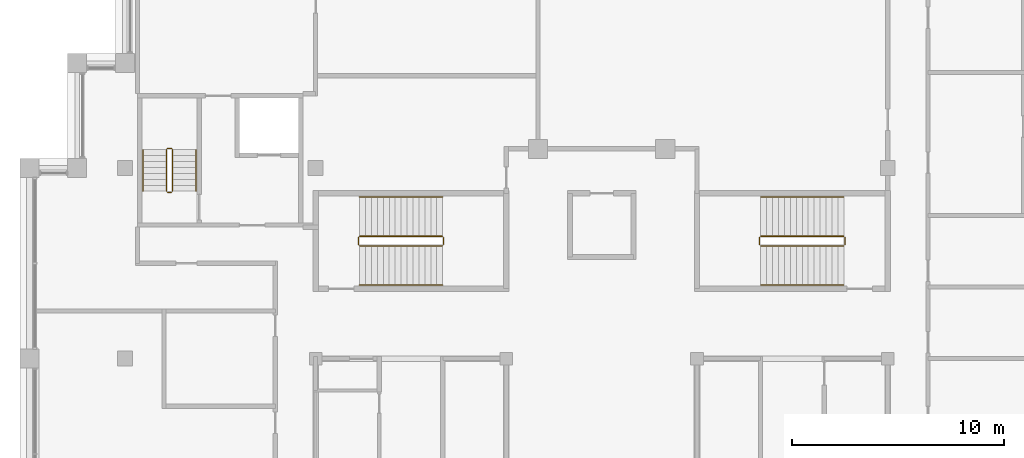
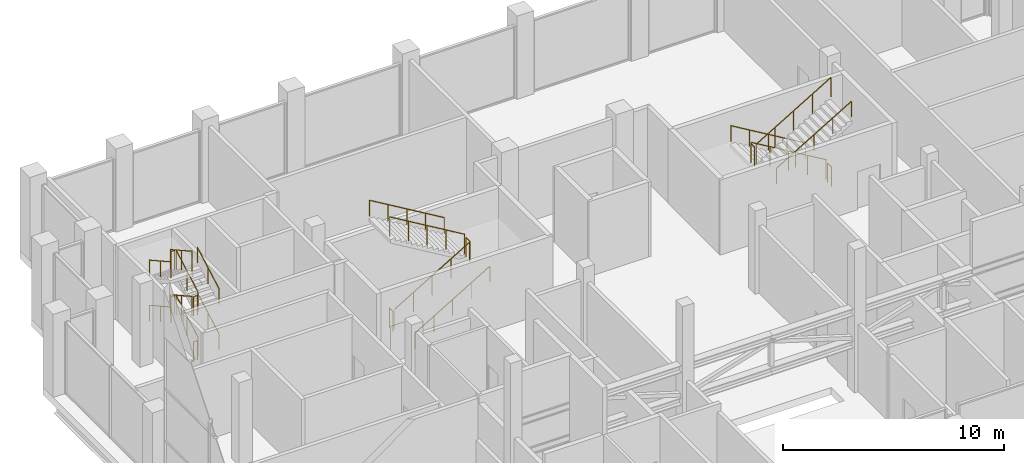
# One storey, part 14 of 14: 3 railings.
"""IFC4 building model written with IfcOpenShell, lengths in metres."""

from ifc_helpers import new_model, si_unit, direction, frame, origin, origin_2d, place, context, subcontext, project, spatial, circle, extrude, material, type_object, element, save


model = new_model("IFC4")

# Units and contexts
model_context = context("Model", 3, precision=1e-05, world=origin(), true_north=direction((0.0, 1.0)))
body_context = subcontext(model_context, "Body", "Model", "MODEL_VIEW")
ifc_project = project(units=[si_unit("LENGTHUNIT", "METRE"), si_unit("AREAUNIT", "SQUARE_METRE"), si_unit("VOLUMEUNIT", "CUBIC_METRE"), si_unit("PLANEANGLEUNIT", "RADIAN"), si_unit("MASSUNIT", "GRAM", prefix="KILO")], contexts=[model_context])

# Site, building, storey
site_placement = place(None, origin())
site = spatial("IfcSite", under=ifc_project, at=site_placement, CompositionType="ELEMENT")
building_placement = place(site_placement, origin())
building = spatial("IfcBuilding", under=site, at=building_placement, Name="Corbelhall Arena Tower", CompositionType="ELEMENT")
storey_placement = place(building_placement, frame((0.0, 0.0, 376.0)))
storey = spatial("IfcBuildingStorey", under=building, at=storey_placement, Name="L81", CompositionType="ELEMENT", Elevation=376.0)

# Railings
ifc_material = material(Name="Steel ASTM A500 Gr C", Category="steel")
railing_type = type_object("IfcRailingType", Name="IN-GD-1100", PredefinedType="GUARDRAIL", material=ifc_material)
railing_1_placement = place(storey_placement, frame((-11.425048828125, 14.324951171875, 0.166748046875)))
element("IfcRailing", 1, at=railing_1_placement, inside=storey, type_object=railing_type, Name="L81 ST1 stair guards and handrails", PredefinedType="GUARDRAIL", context=body_context, shape_type="SweptSolid", body=[
    extrude(circle(Radius=0.02392578125, at=origin_2d()), frame((0.0, 0.0, 1.076171875), z_axis=(0.859310244771, 0.0, 0.511454693235), x_axis=(0.0, 1.0, 0.0)), (0.0, 0.0, 1.0), 4.56201171875),
    extrude(circle(Radius=0.02392578125, at=origin_2d()), frame((3.969970703125, 0.050048828125, 3.4091796875), z_axis=(0.0, 1.0, 0.0), x_axis=(-1.0, 0.0, 0.0)), (0.0, 0.0, 1.0), 0.35009765625),
    extrude(circle(Radius=0.02392578125, at=origin_2d()), frame((3.920166015625, 0.449951171875, 3.576171875), z_axis=(-0.859310244771, 0.0, 0.511454693235), x_axis=(0.0, -1.0, 0.0)), (0.0, 0.0, 1.0), 4.56201171875),
    extrude(circle(Radius=0.02392578125, at=origin_2d()), frame((-0.050048828125, 0.050048828125, 0.9091796875), z_axis=(0.0, 1.0, 0.0), x_axis=(-1.0, 0.0, 0.0)), (0.0, 0.0, 1.0), 0.35009765625),
    extrude(circle(Radius=0.02392578125, at=origin_2d()), frame((0.0, -1.849853515625, 0.8759765625), z_axis=(0.859310244771, 0.0, 0.511454693235), x_axis=(0.0, 1.0, 0.0)), (0.0, 0.0, 1.0), 4.56201171875),
    extrude(circle(Radius=0.02392578125, at=origin_2d()), frame((3.920166015625, 2.300048828125, 3.3759765625), z_axis=(-0.859310244771, 0.0, 0.511454693235), x_axis=(0.0, -1.0, 0.0)), (0.0, 0.0, 1.0), 4.56201171875),
    extrude(circle(Radius=0.02099609375, at=origin_2d()), origin(), (0.0, 0.0, 1.0), 1.052001953125),
    extrude(circle(Radius=0.02099609375, at=origin_2d()), frame((0.97998046875, 0.0, 0.583251953125)), (0.0, 0.0, 1.0), 1.052001953125),
    extrude(circle(Radius=0.02099609375, at=origin_2d()), frame((1.9599609375, 0.0, 1.16650390625)), (0.0, 0.0, 1.0), 1.052001953125),
    extrude(circle(Radius=0.02099609375, at=origin_2d()), frame((2.940185546875, 0.0, 1.75)), (0.0, 0.0, 1.0), 1.052001953125),
    extrude(circle(Radius=0.02099609375, at=origin_2d()), frame((3.920166015625, 0.0, 2.333251953125)), (0.0, 0.0, 1.0), 1.052001953125),
    extrude(circle(Radius=0.02099609375, at=origin_2d()), frame((3.969970703125, 0.050048828125, 2.333251953125)), (0.0, 0.0, 1.0), 1.052001953125),
    extrude(circle(Radius=0.02099609375, at=origin_2d()), frame((3.969970703125, 0.400146484375, 2.333251953125)), (0.0, 0.0, 1.0), 1.052001953125),
    extrude(circle(Radius=0.02099609375, at=origin_2d()), frame((3.920166015625, 0.449951171875, 2.5)), (0.0, 0.0, 1.0), 1.052001953125),
    extrude(circle(Radius=0.02099609375, at=origin_2d()), frame((2.940185546875, 0.449951171875, 3.083251953125)), (0.0, 0.0, 1.0), 1.052001953125),
    extrude(circle(Radius=0.02099609375, at=origin_2d()), frame((1.9599609375, 0.449951171875, 3.66650390625)), (0.0, 0.0, 1.0), 1.052001953125),
    extrude(circle(Radius=0.02099609375, at=origin_2d()), frame((0.97998046875, 0.449951171875, 4.25)), (0.0, 0.0, 1.0), 1.052001953125),
    extrude(circle(Radius=0.02099609375, at=origin_2d()), frame((0.0, 0.449951171875, 4.833251953125)), (0.0, 0.0, 1.0), 1.052001953125),
    extrude(circle(Radius=0.02099609375, at=origin_2d()), frame((-0.050048828125, 0.050048828125, -0.166748046875)), (0.0, 0.0, 1.0), 1.052001953125),
    extrude(circle(Radius=0.02099609375, at=origin_2d()), frame((-0.050048828125, 0.400146484375, -0.166748046875)), (0.0, 0.0, 1.0), 1.052001953125),
    extrude(circle(Radius=0.02099609375, at=origin_2d()), frame((0.0, -1.849853515625, 0.0)), (0.0, 0.0, 1.0), 0.851806640625),
    extrude(circle(Radius=0.02099609375, at=origin_2d()), frame((0.97998046875, -1.849853515625, 0.583251953125)), (0.0, 0.0, 1.0), 0.851806640625),
    extrude(circle(Radius=0.02099609375, at=origin_2d()), frame((1.9599609375, -1.849853515625, 1.16650390625)), (0.0, 0.0, 1.0), 0.851806640625),
    extrude(circle(Radius=0.02099609375, at=origin_2d()), frame((2.940185546875, -1.849853515625, 1.75)), (0.0, 0.0, 1.0), 0.851806640625),
    extrude(circle(Radius=0.02099609375, at=origin_2d()), frame((3.920166015625, -1.849853515625, 2.333251953125)), (0.0, 0.0, 1.0), 0.851806640625),
    extrude(circle(Radius=0.02099609375, at=origin_2d()), frame((3.920166015625, 2.300048828125, 2.5)), (0.0, 0.0, 1.0), 0.851806640625),
    extrude(circle(Radius=0.02099609375, at=origin_2d()), frame((2.940185546875, 2.300048828125, 3.083251953125)), (0.0, 0.0, 1.0), 0.851806640625),
    extrude(circle(Radius=0.02099609375, at=origin_2d()), frame((1.9599609375, 2.300048828125, 3.66650390625)), (0.0, 0.0, 1.0), 0.851806640625),
    extrude(circle(Radius=0.02099609375, at=origin_2d()), frame((0.97998046875, 2.300048828125, 4.25)), (0.0, 0.0, 1.0), 0.851806640625),
    extrude(circle(Radius=0.02099609375, at=origin_2d()), frame((0.0, 2.300048828125, 4.833251953125)), (0.0, 0.0, 1.0), 0.851806640625),
])
railing_2_placement = place(storey_placement, frame((11.425048828125, 14.77490234375, 0.166748046875)))
element("IfcRailing", 2, at=railing_2_placement, inside=storey, type_object=railing_type, Name="L81 ST3 stair guards and handrails", PredefinedType="GUARDRAIL", context=body_context, shape_type="SweptSolid", body=[
    extrude(circle(Radius=0.02392578125, at=origin_2d()), frame((0.0, 0.0, 1.076171875), z_axis=(-0.859310244771, 0.0, 0.511454693235), x_axis=(0.0, -1.0, 0.0)), (0.0, 0.0, 1.0), 4.56201171875),
    extrude(circle(Radius=0.02392578125, at=origin_2d()), frame((-3.969970703125, -0.0498046875, 3.4091796875), z_axis=(0.0, -1.0, 0.0), x_axis=(1.0, 0.0, 0.0)), (0.0, 0.0, 1.0), 0.35009765625),
    extrude(circle(Radius=0.02392578125, at=origin_2d()), frame((-3.920166015625, -0.449951171875, 3.576171875), z_axis=(0.859310244771, 0.0, 0.511454693235), x_axis=(0.0, 1.0, 0.0)), (0.0, 0.0, 1.0), 4.56201171875),
    extrude(circle(Radius=0.02392578125, at=origin_2d()), frame((0.050048828125, -0.0498046875, 0.9091796875), z_axis=(0.0, -1.0, 0.0), x_axis=(1.0, 0.0, 0.0)), (0.0, 0.0, 1.0), 0.35009765625),
    extrude(circle(Radius=0.02392578125, at=origin_2d()), frame((0.0, 1.85009765625, 0.8759765625), z_axis=(-0.859310244771, 0.0, 0.511454693235), x_axis=(0.0, -1.0, 0.0)), (0.0, 0.0, 1.0), 4.56201171875),
    extrude(circle(Radius=0.02392578125, at=origin_2d()), frame((-3.920166015625, -2.2998046875, 3.3759765625), z_axis=(0.859310244771, 0.0, 0.511454693235), x_axis=(0.0, 1.0, 0.0)), (0.0, 0.0, 1.0), 4.56201171875),
    extrude(circle(Radius=0.02099609375, at=origin_2d()), origin(), (0.0, 0.0, 1.0), 1.052001953125),
    extrude(circle(Radius=0.02099609375, at=origin_2d()), frame((-0.97998046875, 0.0, 0.583251953125)), (0.0, 0.0, 1.0), 1.052001953125),
    extrude(circle(Radius=0.02099609375, at=origin_2d()), frame((-1.9599609375, 0.0, 1.16650390625)), (0.0, 0.0, 1.0), 1.052001953125),
    extrude(circle(Radius=0.02099609375, at=origin_2d()), frame((-2.940185546875, 0.0, 1.75)), (0.0, 0.0, 1.0), 1.052001953125),
    extrude(circle(Radius=0.02099609375, at=origin_2d()), frame((-3.920166015625, 0.0, 2.333251953125)), (0.0, 0.0, 1.0), 1.052001953125),
    extrude(circle(Radius=0.02099609375, at=origin_2d()), frame((-3.969970703125, -0.0498046875, 2.333251953125)), (0.0, 0.0, 1.0), 1.052001953125),
    extrude(circle(Radius=0.02099609375, at=origin_2d()), frame((-3.969970703125, -0.39990234375, 2.333251953125)), (0.0, 0.0, 1.0), 1.052001953125),
    extrude(circle(Radius=0.02099609375, at=origin_2d()), frame((-3.920166015625, -0.449951171875, 2.5)), (0.0, 0.0, 1.0), 1.052001953125),
    extrude(circle(Radius=0.02099609375, at=origin_2d()), frame((-2.940185546875, -0.449951171875, 3.083251953125)), (0.0, 0.0, 1.0), 1.052001953125),
    extrude(circle(Radius=0.02099609375, at=origin_2d()), frame((-1.9599609375, -0.449951171875, 3.66650390625)), (0.0, 0.0, 1.0), 1.052001953125),
    extrude(circle(Radius=0.02099609375, at=origin_2d()), frame((-0.97998046875, -0.449951171875, 4.25)), (0.0, 0.0, 1.0), 1.052001953125),
    extrude(circle(Radius=0.02099609375, at=origin_2d()), frame((0.0, -0.449951171875, 4.833251953125)), (0.0, 0.0, 1.0), 1.052001953125),
    extrude(circle(Radius=0.02099609375, at=origin_2d()), frame((0.050048828125, -0.0498046875, -0.166748046875)), (0.0, 0.0, 1.0), 1.052001953125),
    extrude(circle(Radius=0.02099609375, at=origin_2d()), frame((0.050048828125, -0.39990234375, -0.166748046875)), (0.0, 0.0, 1.0), 1.052001953125),
    extrude(circle(Radius=0.02099609375, at=origin_2d()), frame((0.0, 1.85009765625, 0.0)), (0.0, 0.0, 1.0), 0.851806640625),
    extrude(circle(Radius=0.02099609375, at=origin_2d()), frame((-0.97998046875, 1.85009765625, 0.583251953125)), (0.0, 0.0, 1.0), 0.851806640625),
    extrude(circle(Radius=0.02099609375, at=origin_2d()), frame((-1.9599609375, 1.85009765625, 1.16650390625)), (0.0, 0.0, 1.0), 0.851806640625),
    extrude(circle(Radius=0.02099609375, at=origin_2d()), frame((-2.940185546875, 1.85009765625, 1.75)), (0.0, 0.0, 1.0), 0.851806640625),
    extrude(circle(Radius=0.02099609375, at=origin_2d()), frame((-3.920166015625, 1.85009765625, 2.333251953125)), (0.0, 0.0, 1.0), 0.851806640625),
    extrude(circle(Radius=0.02099609375, at=origin_2d()), frame((-3.920166015625, -2.2998046875, 2.5)), (0.0, 0.0, 1.0), 0.851806640625),
    extrude(circle(Radius=0.02099609375, at=origin_2d()), frame((-2.940185546875, -2.2998046875, 3.083251953125)), (0.0, 0.0, 1.0), 0.851806640625),
    extrude(circle(Radius=0.02099609375, at=origin_2d()), frame((-1.9599609375, -2.2998046875, 3.66650390625)), (0.0, 0.0, 1.0), 0.851806640625),
    extrude(circle(Radius=0.02099609375, at=origin_2d()), frame((-0.97998046875, -2.2998046875, 4.25)), (0.0, 0.0, 1.0), 0.851806640625),
    extrude(circle(Radius=0.02099609375, at=origin_2d()), frame((0.0, -2.2998046875, 4.833251953125)), (0.0, 0.0, 1.0), 0.851806640625),
])
railing_3_placement = place(storey_placement, frame((-20.2451171875, 16.89990234375, 0.15625)))
element("IfcRailing", 3, at=railing_3_placement, inside=storey, type_object=railing_type, Name="L81 ST5 stair guards and handrails", PredefinedType="GUARDRAIL", context=body_context, shape_type="SweptSolid", body=[
    extrude(circle(Radius=0.02392578125, at=origin_2d()), frame((0.0, 0.0, 1.076171875), z_axis=(0.0, 0.873257974695, 0.487258155017), x_axis=(-1.0, 0.0, 0.0)), (0.0, 0.0, 1.0), 2.24462890625),
    extrude(circle(Radius=0.02392578125, at=origin_2d()), frame((-0.0498046875, 2.010009765625, 2.169921875), z_axis=(-1.0, 0.0, 0.0), x_axis=(0.0, -1.0, 0.0)), (0.0, 0.0, 1.0), 0.2001953125),
    extrude(circle(Radius=0.02392578125, at=origin_2d()), frame((-0.2998046875, 1.960205078125, 2.326171875), z_axis=(0.0, -0.873257974695, 0.487258155017), x_axis=(1.0, 0.0, 0.0)), (0.0, 0.0, 1.0), 2.24462890625),
    extrude(circle(Radius=0.02392578125, at=origin_2d()), frame((-0.0498046875, -0.0498046875, 3.419921875), z_axis=(-1.0, 0.0, 0.0), x_axis=(0.0, -1.0, 0.0)), (0.0, 0.0, 1.0), 0.2001953125),
    extrude(circle(Radius=0.02392578125, at=origin_2d()), frame((0.0, 0.0, 3.576171875), z_axis=(0.0, 0.873257974695, 0.487258155017), x_axis=(-1.0, 0.0, 0.0)), (0.0, 0.0, 1.0), 2.24462890625),
    extrude(circle(Radius=0.02392578125, at=origin_2d()), frame((-0.0498046875, 2.010009765625, 4.669921875), z_axis=(-1.0, 0.0, 0.0), x_axis=(0.0, -1.0, 0.0)), (0.0, 0.0, 1.0), 0.2001953125),
    extrude(circle(Radius=0.02392578125, at=origin_2d()), frame((-0.2998046875, 1.960205078125, 4.826171875), z_axis=(0.0, -0.873257974695, 0.487258155017), x_axis=(1.0, 0.0, 0.0)), (0.0, 0.0, 1.0), 2.24462890625),
    extrude(circle(Radius=0.02392578125, at=origin_2d()), frame((-0.0498046875, -0.0498046875, 0.919921875), z_axis=(-1.0, 0.0, 0.0), x_axis=(0.0, -1.0, 0.0)), (0.0, 0.0, 1.0), 0.2001953125),
    extrude(circle(Radius=0.02392578125, at=origin_2d()), frame((1.10009765625, 0.0, 0.8759765625), z_axis=(0.0, 0.873257974695, 0.487258155017), x_axis=(-1.0, 0.0, 0.0)), (0.0, 0.0, 1.0), 2.24462890625),
    extrude(circle(Radius=0.02392578125, at=origin_2d()), frame((-1.39990234375, 1.960205078125, 2.1259765625), z_axis=(0.0, -0.873257974695, 0.487258155017), x_axis=(1.0, 0.0, 0.0)), (0.0, 0.0, 1.0), 2.24462890625),
    extrude(circle(Radius=0.02392578125, at=origin_2d()), frame((1.10009765625, 0.0, 3.3759765625), z_axis=(0.0, 0.873257974695, 0.487258155017), x_axis=(-1.0, 0.0, 0.0)), (0.0, 0.0, 1.0), 2.24462890625),
    extrude(circle(Radius=0.02392578125, at=origin_2d()), frame((-1.39990234375, 1.960205078125, 4.6259765625), z_axis=(0.0, -0.873257974695, 0.487258155017), x_axis=(1.0, 0.0, 0.0)), (0.0, 0.0, 1.0), 2.24462890625),
    extrude(circle(Radius=0.02099609375, at=origin_2d()), origin(), (0.0, 0.0, 1.0), 1.052001953125),
    extrude(circle(Radius=0.02099609375, at=origin_2d()), frame((0.0, 0.97998046875, 0.546875)), (0.0, 0.0, 1.0), 1.052001953125),
    extrude(circle(Radius=0.02099609375, at=origin_2d()), frame((0.0, 1.960205078125, 1.09375)), (0.0, 0.0, 1.0), 1.052001953125),
    extrude(circle(Radius=0.02099609375, at=origin_2d()), frame((-0.0498046875, 2.010009765625, 1.09375)), (0.0, 0.0, 1.0), 1.052001953125),
    extrude(circle(Radius=0.02099609375, at=origin_2d()), frame((-0.25, 2.010009765625, 1.09375)), (0.0, 0.0, 1.0), 1.052001953125),
    extrude(circle(Radius=0.02099609375, at=origin_2d()), frame((-0.2998046875, 1.960205078125, 1.25)), (0.0, 0.0, 1.0), 1.052001953125),
    extrude(circle(Radius=0.02099609375, at=origin_2d()), frame((-0.2998046875, 0.97998046875, 1.796875)), (0.0, 0.0, 1.0), 1.052001953125),
    extrude(circle(Radius=0.02099609375, at=origin_2d()), frame((-0.2998046875, 0.0, 2.34375)), (0.0, 0.0, 1.0), 1.052001953125),
    extrude(circle(Radius=0.02099609375, at=origin_2d()), frame((-0.0498046875, -0.0498046875, 2.34375)), (0.0, 0.0, 1.0), 1.052001953125),
    extrude(circle(Radius=0.02099609375, at=origin_2d()), frame((-0.25, -0.0498046875, 2.34375)), (0.0, 0.0, 1.0), 1.052001953125),
    extrude(circle(Radius=0.02099609375, at=origin_2d()), frame((0.0, 0.0, 2.5)), (0.0, 0.0, 1.0), 1.052001953125),
    extrude(circle(Radius=0.02099609375, at=origin_2d()), frame((0.0, 0.97998046875, 3.046875)), (0.0, 0.0, 1.0), 1.052001953125),
    extrude(circle(Radius=0.02099609375, at=origin_2d()), frame((0.0, 1.960205078125, 3.59375)), (0.0, 0.0, 1.0), 1.052001953125),
    extrude(circle(Radius=0.02099609375, at=origin_2d()), frame((-0.0498046875, 2.010009765625, 3.59375)), (0.0, 0.0, 1.0), 1.052001953125),
    extrude(circle(Radius=0.02099609375, at=origin_2d()), frame((-0.25, 2.010009765625, 3.59375)), (0.0, 0.0, 1.0), 1.052001953125),
    extrude(circle(Radius=0.02099609375, at=origin_2d()), frame((-0.2998046875, 1.960205078125, 3.75)), (0.0, 0.0, 1.0), 1.052001953125),
    extrude(circle(Radius=0.02099609375, at=origin_2d()), frame((-0.2998046875, 0.97998046875, 4.296875)), (0.0, 0.0, 1.0), 1.052001953125),
    extrude(circle(Radius=0.02099609375, at=origin_2d()), frame((-0.2998046875, 0.0, 4.84375)), (0.0, 0.0, 1.0), 1.052001953125),
    extrude(circle(Radius=0.02099609375, at=origin_2d()), frame((-0.0498046875, -0.0498046875, -0.15625)), (0.0, 0.0, 1.0), 1.052001953125),
    extrude(circle(Radius=0.02099609375, at=origin_2d()), frame((-0.25, -0.0498046875, -0.15625)), (0.0, 0.0, 1.0), 1.052001953125),
    extrude(circle(Radius=0.02099609375, at=origin_2d()), frame((1.10009765625, 0.0, 0.0)), (0.0, 0.0, 1.0), 0.851806640625),
    extrude(circle(Radius=0.02099609375, at=origin_2d()), frame((1.10009765625, 0.97998046875, 0.546875)), (0.0, 0.0, 1.0), 0.851806640625),
    extrude(circle(Radius=0.02099609375, at=origin_2d()), frame((1.10009765625, 1.960205078125, 1.09375)), (0.0, 0.0, 1.0), 0.851806640625),
    extrude(circle(Radius=0.02099609375, at=origin_2d()), frame((-1.39990234375, 1.960205078125, 1.25)), (0.0, 0.0, 1.0), 0.851806640625),
    extrude(circle(Radius=0.02099609375, at=origin_2d()), frame((-1.39990234375, 0.97998046875, 1.796875)), (0.0, 0.0, 1.0), 0.851806640625),
    extrude(circle(Radius=0.02099609375, at=origin_2d()), frame((-1.39990234375, 0.0, 2.34375)), (0.0, 0.0, 1.0), 0.851806640625),
    extrude(circle(Radius=0.02099609375, at=origin_2d()), frame((1.10009765625, 0.0, 2.5)), (0.0, 0.0, 1.0), 0.851806640625),
    extrude(circle(Radius=0.02099609375, at=origin_2d()), frame((1.10009765625, 0.97998046875, 3.046875)), (0.0, 0.0, 1.0), 0.851806640625),
    extrude(circle(Radius=0.02099609375, at=origin_2d()), frame((1.10009765625, 1.960205078125, 3.59375)), (0.0, 0.0, 1.0), 0.851806640625),
    extrude(circle(Radius=0.02099609375, at=origin_2d()), frame((-1.39990234375, 1.960205078125, 3.75)), (0.0, 0.0, 1.0), 0.851806640625),
    extrude(circle(Radius=0.02099609375, at=origin_2d()), frame((-1.39990234375, 0.97998046875, 4.296875)), (0.0, 0.0, 1.0), 0.851806640625),
    extrude(circle(Radius=0.02099609375, at=origin_2d()), frame((-1.39990234375, 0.0, 4.84375)), (0.0, 0.0, 1.0), 0.851806640625),
])

save(model, "model.ifc")
